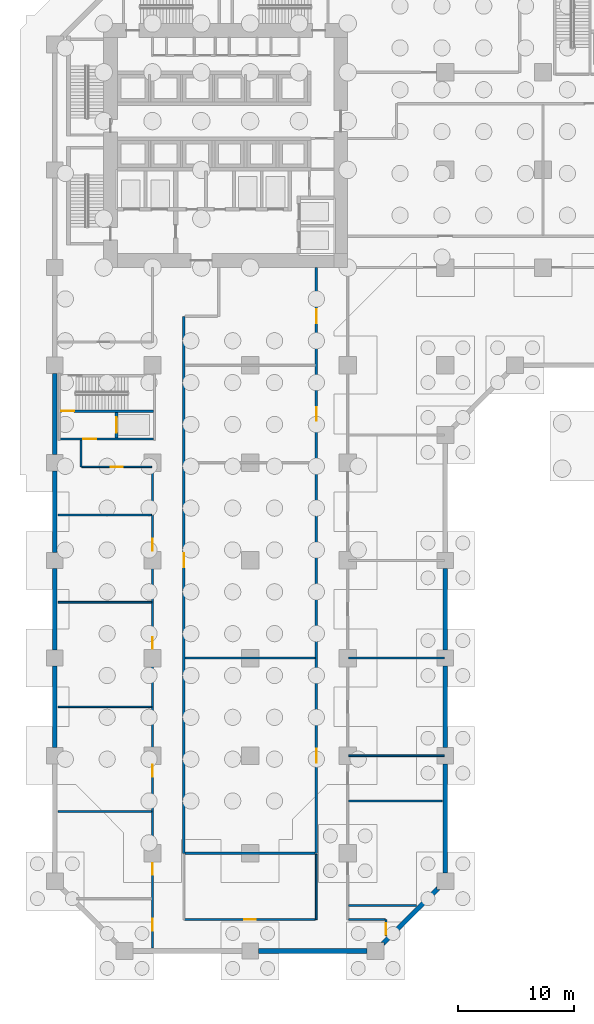
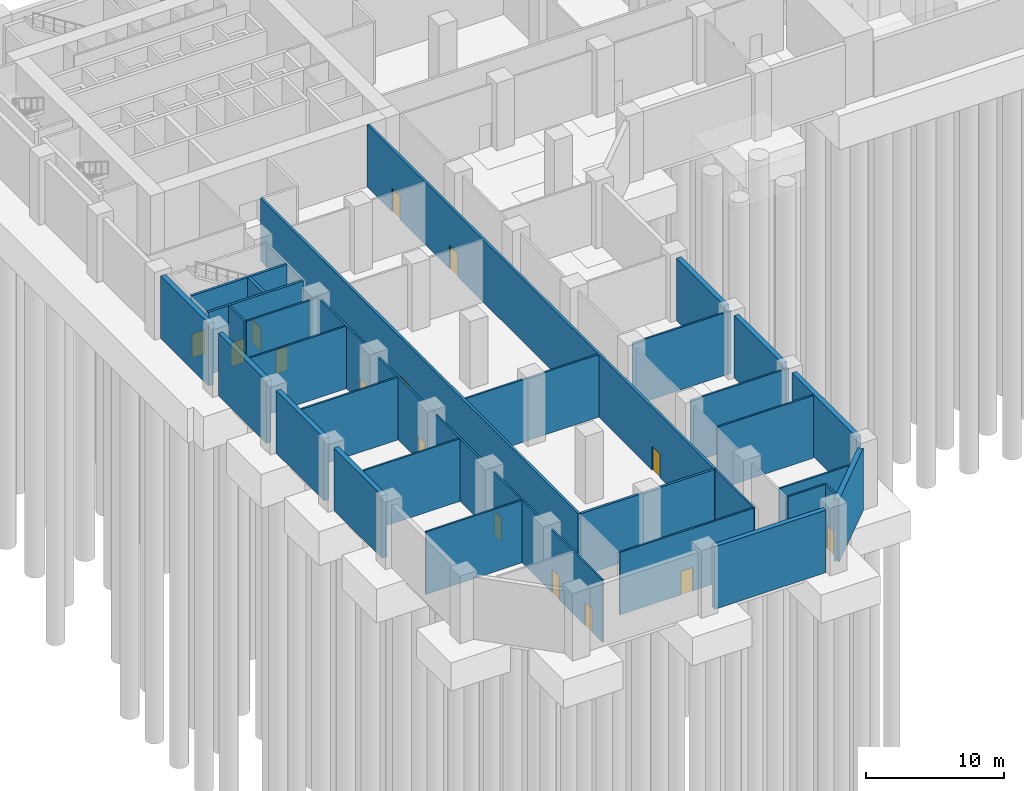
# One storey, part 4 of 13: 31 walls, 15 doors, 15 openings.
"""IFC4 building model written with IfcOpenShell, lengths in metres."""

import ifcopenshell
import ifcopenshell.guid

model = None  # the IFC model being written
_history = None  # IfcOwnerHistory: only IFC2X3 demands one
_inside = {}  # id of a spatial element -> (the spatial element, [elements in it])
_under = {}  # id of a project, library or spatial element -> (it, [spatial elements below it])
_declared = {}  # id of a project -> (the project, [libraries it declares])
_typed = {}  # id of a type object -> (the type object, [elements of that type])
_made_of = {}  # id of a material, layer set ... -> (it, [elements and type objects made of it])


def new_model(schema):
    """Start an empty IFC model of exactly this schema.

    Asked for "IFC4X3", IfcOpenShell would pick the latest addendum, in which some entities
    have other attributes; the version numbers below select the first issue.
    IFC2X3 requires an IfcOwnerHistory on every rooted entity: one is made here for all.
    """
    global model, _history
    if schema == "IFC4X3":
        model = ifcopenshell.file(schema_version=(4, 3, 0, 0))
    else:
        model = ifcopenshell.file(schema=schema)
    _inside.clear()
    _under.clear()
    _declared.clear()
    _typed.clear()
    _made_of.clear()
    _history = None
    if model.schema == "IFC2X3":
        org = make("IfcOrganization", Name="unknown")
        user = make(
            "IfcPersonAndOrganization",
            ThePerson=make("IfcPerson", FamilyName="unknown"),
            TheOrganization=org,
        )
        app = make(
            "IfcApplication",
            ApplicationDeveloper=org,
            Version="unknown",
            ApplicationFullName="unknown",
            ApplicationIdentifier="unknown",
        )
        _history = make(
            "IfcOwnerHistory",
            OwningUser=user,
            OwningApplication=app,
            ChangeAction="ADDED",
            CreationDate=0,
        )
    return model


def make(cls, **values):
    """One entity of the class cls with the attributes given. An attribute that is None is left unset."""
    return model.create_entity(
        cls, **{name: value for name, value in values.items() if value is not None}
    )


def rooted(cls, **values):
    """An entity with a GlobalId (a new one), such as an element, a storey or a relation."""
    return make(cls, GlobalId=ifcopenshell.guid.new(), OwnerHistory=_history, **values)


def si_unit(unit_type, name, prefix=None):
    """IfcSIUnit, for example si_unit("LENGTHUNIT", "METRE", prefix="MILLI")."""
    return make("IfcSIUnit", UnitType=unit_type, Prefix=prefix, Name=name)


def assignment(units):
    """IfcUnitAssignment: the units of a project."""
    return None if units is None else make("IfcUnitAssignment", Units=units)


def point(xyz):
    """IfcCartesianPoint."""
    return None if xyz is None else make("IfcCartesianPoint", Coordinates=xyz)


def direction(xyz):
    """IfcDirection."""
    return None if xyz is None else make("IfcDirection", DirectionRatios=xyz)


def frame(location, z_axis=None, x_axis=None):
    """IfcAxis2Placement3D, a coordinate frame: its origin and axes. An axis left out is left unset."""
    return make(
        "IfcAxis2Placement3D",
        Location=point(location),
        Axis=direction(z_axis),
        RefDirection=direction(x_axis),
    )


def frame_2d(location, x_axis=None):
    """IfcAxis2Placement2D, a coordinate frame in the plane: its origin and x axis."""
    return make(
        "IfcAxis2Placement2D", Location=point(location), RefDirection=direction(x_axis)
    )


def origin():
    """The frame at (0, 0, 0) with its axes left unset."""
    return frame((0.0, 0.0, 0.0))


def place(relative_to, where):
    """IfcLocalPlacement: puts the frame where relative to a parent placement (None: the world)."""
    return make(
        "IfcLocalPlacement", PlacementRelTo=relative_to, RelativePlacement=where
    )


def context(
    kind, dimensions, precision=None, world=None, true_north=None, identifier=None
):
    """IfcGeometricRepresentationContext, for example the 3D "Model" context."""
    return make(
        "IfcGeometricRepresentationContext",
        ContextIdentifier=identifier,
        ContextType=kind,
        CoordinateSpaceDimension=dimensions,
        Precision=precision,
        WorldCoordinateSystem=world,
        TrueNorth=true_north,
    )


def subcontext(parent, identifier, kind, view, scale=None):
    """IfcGeometricRepresentationSubContext, for example "Body" below "Model"."""
    return make(
        "IfcGeometricRepresentationSubContext",
        ContextIdentifier=identifier,
        ContextType=kind,
        ParentContext=parent,
        TargetScale=scale,
        TargetView=view,
    )


def project(units=None, contexts=None):
    """IfcProject with its units and contexts."""
    return rooted(
        "IfcProject",
        Name="project",
        RepresentationContexts=contexts,
        UnitsInContext=assignment(units),
    )


def spatial(cls, under=None, at=None, **own):
    """A site, building, storey or space (cls), placed at a placement, below another one or the project."""
    s = rooted(cls, ObjectPlacement=at, **own)
    if under is not None:
        _under.setdefault(under.id(), (under, []))[1].append(s)
    return s


def polyline(points):
    """IfcPolyline through the points."""
    return make("IfcPolyline", Points=[point(p) for p in points])


def profile(cls, at=None, kind="AREA", **sizes):
    """A parametric profile (cls). Its sizes go by their IFC names, for example OverallWidth=200.0."""
    return make(cls, ProfileType=kind, Position=at, **sizes)


def rectangle(**sizes):
    """IfcRectangleProfileDef."""
    return profile("IfcRectangleProfileDef", **sizes)


def outline(outer, holes=None, kind="AREA"):
    """IfcArbitraryClosedProfileDef: a profile drawn as a closed curve; with holes, ...WithVoids."""
    if holes is None:
        return make("IfcArbitraryClosedProfileDef", ProfileType=kind, OuterCurve=outer)
    return make(
        "IfcArbitraryProfileDefWithVoids",
        ProfileType=kind,
        OuterCurve=outer,
        InnerCurves=holes,
    )


def extrude(swept, where, along, depth):
    """IfcExtrudedAreaSolid: the profile swept, set in the frame where, extruded along a direction by depth."""
    return make(
        "IfcExtrudedAreaSolid",
        SweptArea=swept,
        Position=where,
        ExtrudedDirection=direction(along),
        Depth=depth,
    )


def shape(context_of_items, identifier, shape_type, items):
    """IfcShapeRepresentation: the items that make up one representation, for example the "Body"."""
    return make(
        "IfcShapeRepresentation",
        ContextOfItems=context_of_items,
        RepresentationIdentifier=identifier,
        RepresentationType=shape_type,
        Items=items,
    )


def material(Name=None, Category=None):
    """IfcMaterial."""
    return make("IfcMaterial", Name=Name, Category=Category)


def layer(
    of_material, thickness, ventilated=None, Name=None, Category=None, Priority=None
):
    """IfcMaterialLayer: one layer of a wall or slab, of a material (None: an air gap)."""
    return make(
        "IfcMaterialLayer",
        Material=of_material,
        LayerThickness=thickness,
        IsVentilated=ventilated,
        Name=Name,
        Category=Category,
        Priority=Priority,
    )


def layer_set(layers, Name=None):
    """IfcMaterialLayerSet."""
    return make("IfcMaterialLayerSet", MaterialLayers=layers, LayerSetName=Name)


def made_of(thing, what):
    """Note that an element or type object is made of a material, layer set ...; save() writes the relation."""
    if what is not None:
        _made_of.setdefault(what.id(), (what, []))[1].append(thing)
    return thing


def type_object(cls, material=None, **own):
    """A type object (cls), such as IfcWallType, which elements share."""
    return made_of(rooted(cls, **own), material)


def element(
    cls,
    number,
    at=None,
    inside=None,
    cuts=None,
    type_object=None,
    material=None,
    context=None,
    identifier="Body",
    shape_type=None,
    held_by="IfcProductDefinitionShape",
    body=None,
    shapes=None,
    **own,
):
    """One element of the class cls, such as IfcWall. Its Tag is "e" and its number.

    at: its placement. inside: the storey or other place that contains it. cuts: it is an
    opening in that element (IfcRelVoidsElement). A single representation is given by context,
    identifier, shape_type and body (its items); several are given by shapes. held_by: the class
    of the entity that holds the representations. save() writes the other relations.
    """
    e = rooted(cls, Tag="e%d" % number, ObjectPlacement=at, **own)
    if body is not None:
        shapes = [shape(context, identifier, shape_type, body)]
    if shapes is not None:
        e.Representation = make(held_by, Representations=shapes)
    if inside is not None:
        _inside.setdefault(inside.id(), (inside, []))[1].append(e)
    if cuts is not None:
        rooted(
            "IfcRelVoidsElement", RelatingBuildingElement=cuts, RelatedOpeningElement=e
        )
    if type_object is not None:
        _typed.setdefault(type_object.id(), (type_object, []))[1].append(e)
    return made_of(e, material)


def fill(opening, filler):
    """IfcRelFillsElement: the door or window that sits in an opening."""
    return rooted(
        "IfcRelFillsElement",
        RelatingOpeningElement=opening,
        RelatedBuildingElement=filler,
    )


def aggregate(whole, parts):
    """IfcRelAggregates: a whole, such as a stair, and the parts it consists of."""
    return rooted("IfcRelAggregates", RelatingObject=whole, RelatedObjects=parts)


def save(model, path):
    """Write the relations noted so far, then the file.

    IfcRelAggregates (storeys below a building ...), IfcRelContainedInSpatialStructure (elements
    in a storey), IfcRelDefinesByType, IfcRelAssociatesMaterial and IfcRelDeclares: one each for
    every whole, place, type object, material and project.
    """
    for whole, parts in _under.values():
        aggregate(whole, parts)
    for where, things in _inside.values():
        rooted(
            "IfcRelContainedInSpatialStructure",
            RelatedElements=things,
            RelatingStructure=where,
        )
    for kind, things in _typed.values():
        rooted("IfcRelDefinesByType", RelatedObjects=things, RelatingType=kind)
    for what, things in _made_of.values():
        rooted("IfcRelAssociatesMaterial", RelatedObjects=things, RelatingMaterial=what)
    for by, libraries in _declared.values():
        rooted("IfcRelDeclares", RelatingContext=by, RelatedDefinitions=libraries)
    model.write(path)


model = new_model("IFC4")

# Units and contexts
model_context = context("Model", 3, precision=1e-05, world=origin(), true_north=direction((0.0, 1.0)))
body_context = subcontext(model_context, "Body", "Model", "MODEL_VIEW")
ifc_project = project(units=[si_unit("LENGTHUNIT", "METRE"), si_unit("AREAUNIT", "SQUARE_METRE"), si_unit("VOLUMEUNIT", "CUBIC_METRE"), si_unit("PLANEANGLEUNIT", "RADIAN"), si_unit("MASSUNIT", "GRAM", prefix="KILO")], contexts=[model_context])

# Site, building, storey
site_placement = place(None, origin())
site = spatial("IfcSite", under=ifc_project, at=site_placement, CompositionType="ELEMENT")
building_placement = place(site_placement, origin())
building = spatial("IfcBuilding", under=site, at=building_placement, Name="Kawkab Arch Medical Tower", CompositionType="ELEMENT")
storey_placement = place(building_placement, frame((0.0, 0.0, -6.0)))
storey = spatial("IfcBuildingStorey", under=building, at=storey_placement, Name="B1", CompositionType="ELEMENT", Elevation=-6.0)

# Walls
ifc_material_1 = material(Name="Concrete C45/55", Category="concrete")
ifc_layer_1 = layer(ifc_material_1, 0.39990234375)
ifc_layer_set_1 = layer_set([ifc_layer_1], Name="Concrete C45/55")
wall_type_1 = type_object("IfcWallType", Name="Basement wall 400 C45/55", PredefinedType="SOLIDWALL", material=ifc_layer_set_1)
placement = place(storey_placement, origin())
element("IfcWall", 1, at=placement, inside=storey, type_object=wall_type_1, Name="Basement wall 22", PredefinedType="SOLIDWALL", context=body_context, shape_type="SweptSolid", body=[
    extrude(outline(polyline([(0.199951171875, -34.300048828125), (0.199951171875, -41.300048828125), (-0.199951171875, -41.300048828125), (-0.199951171875, -34.300048828125), (0.199951171875, -34.300048828125)])), origin(), (0.0, 0.0, 1.0), 5.550048828125),
])
element("IfcWall", 2, at=placement, inside=storey, type_object=wall_type_1, Name="Basement wall 24", PredefinedType="SOLIDWALL", context=body_context, shape_type="SweptSolid", body=[
    extrude(outline(polyline([(0.199951171875, -42.699951171875), (0.199951171875, -49.699951171875), (-0.199951171875, -49.699951171875), (-0.199951171875, -42.699951171875), (0.199951171875, -42.699951171875)])), origin(), (0.0, 0.0, 1.0), 5.550048828125),
])
element("IfcWall", 3, at=placement, inside=storey, type_object=wall_type_1, Name="Basement wall 25", PredefinedType="SOLIDWALL", context=body_context, shape_type="SweptSolid", body=[
    extrude(outline(polyline([(0.199951171875, -51.10009765625), (0.199951171875, -58.10009765625), (-0.199951171875, -58.10009765625), (-0.199951171875, -51.10009765625), (0.199951171875, -51.10009765625)])), origin(), (0.0, 0.0, 1.0), 5.550048828125),
])
element("IfcWall", 4, at=placement, inside=storey, type_object=wall_type_1, Name="Basement wall 26", PredefinedType="SOLIDWALL", context=body_context, shape_type="SweptSolid", body=[
    extrude(outline(polyline([(33.39990234375, -58.10009765625), (33.39990234375, -51.10009765625), (33.800048828125, -51.10009765625), (33.800048828125, -58.10009765625), (33.39990234375, -58.10009765625)])), origin(), (0.0, 0.0, 1.0), 5.550048828125),
])
element("IfcWall", 5, at=placement, inside=storey, type_object=wall_type_1, Name="Basement wall 27", PredefinedType="SOLIDWALL", context=body_context, shape_type="SweptSolid", body=[
    extrude(outline(polyline([(0.199951171875, -59.5), (0.199951171875, -66.5), (-0.199951171875, -66.5), (-0.199951171875, -59.5), (0.199951171875, -59.5)])), origin(), (0.0, 0.0, 1.0), 5.550048828125),
])
element("IfcWall", 6, at=placement, inside=storey, type_object=wall_type_1, Name="Basement wall 28", PredefinedType="SOLIDWALL", context=body_context, shape_type="SweptSolid", body=[
    extrude(outline(polyline([(33.39990234375, -66.5), (33.39990234375, -59.5), (33.800048828125, -59.5), (33.800048828125, -66.5), (33.39990234375, -66.5)])), origin(), (0.0, 0.0, 1.0), 5.550048828125),
])
element("IfcWall", 7, at=placement, inside=storey, type_object=wall_type_1, Name="Basement wall 30", PredefinedType="SOLIDWALL", context=body_context, shape_type="SweptSolid", body=[
    extrude(outline(polyline([(33.39990234375, -77.27490234375), (33.39990234375, -67.89990234375), (33.800048828125, -67.89990234375), (33.800048828125, -77.27490234375), (33.39990234375, -77.27490234375)])), origin(), (0.0, 0.0, 1.0), 5.550048828125),
])
element("IfcWall", 8, at=placement, inside=storey, type_object=wall_type_1, Name="Basement wall 32", PredefinedType="SOLIDWALL", context=body_context, shape_type="SweptSolid", body=[
    extrude(outline(polyline([(28.324951171875, -83.27490234375), (28.042236328125, -83.27490234375), (32.875, -78.442138671875), (32.875, -78.72509765625), (33.15771484375, -78.72509765625), (28.324951171875, -83.557861328125), (28.324951171875, -83.27490234375)])), origin(), (0.0, 0.0, 1.0), 5.550048828125),
])
element("IfcWall", 9, at=placement, inside=storey, type_object=wall_type_1, Name="Basement wall 34", PredefinedType="SOLIDWALL", context=body_context, shape_type="SweptSolid", body=[
    extrude(outline(polyline([(17.5, -83.800048828125), (26.875, -83.800048828125), (26.875, -84.199951171875), (17.5, -84.199951171875), (17.5, -83.800048828125)])), origin(), (0.0, 0.0, 1.0), 5.550048828125),
])

# Wall, opening, door
ifc_material_2 = material(Name="Concrete C60/75", Category="concrete")
ifc_layer_2 = layer(ifc_material_2, 0.25)
ifc_layer_set_2 = layer_set([ifc_layer_2], Name="Concrete C60/75")
wall_type_2 = type_object("IfcWallType", Name="Core shear wall 250 C60/75", PredefinedType="SHEAR", material=ifc_layer_set_2)
wall_10_placement = place(storey_placement, frame((5.300048828125, -39.85009765625, 0.0), z_axis=(0.0, 0.0, 1.0), x_axis=(0.0, 1.0, 0.0)))
wall_10 = element("IfcWall", 10, at=wall_10_placement, inside=storey, type_object=wall_type_2, Name="B1 core shear wall", PredefinedType="SHEAR", context=body_context, shape_type="SweptSolid", body=[
    extrude(rectangle(XDim=2.2001953125, YDim=0.25, at=frame_2d((1.10009765625, 0.0))), origin(), (0.0, 0.0, 1.0), 5.550048828125),
])
opening_1_placement = place(wall_10_placement, frame((0.449951171875, 0.0, 0.0)))
opening_1 = element("IfcOpeningElement", 11, at=opening_1_placement, cuts=wall_10, Name="Opening LD2", PredefinedType="OPENING", context=body_context, shape_type="SweptSolid", body=[
    extrude(rectangle(XDim=1.300048828125, YDim=2.10009765625, at=frame_2d((0.64990234375, 1.050048828125))), frame((0.0, 0.135009765625, 0.0), z_axis=(0.0, -1.0, 0.0), x_axis=(1.0, 0.0, 0.0)), (0.0, 0.0, 1.0), 0.27001953125),
])
ifc_material_3 = material(Name="Stainless steel lift door leaf", Category="steel")
door_type_1 = type_object("IfcDoorType", Name="Lift landing door 1300", OperationType="DOUBLE_DOOR_SLIDING", PredefinedType="DOOR", material=ifc_material_3)
door_1_placement = place(opening_1_placement, origin())
door_1 = element("IfcDoor", 12, at=door_1_placement, inside=storey, type_object=door_type_1, Name="B1 Lift landing door SV2", OperationType="DOUBLE_DOOR_SLIDING", OverallHeight=2.10009765625, OverallWidth=1.300048828125, PredefinedType="DOOR", context=body_context, shape_type="SweptSolid", body=[
    extrude(rectangle(XDim=1.300048828125, YDim=2.10009765625, at=frame_2d((0.64990234375, 1.050048828125))), frame((0.0, 0.02490234375, 0.0), z_axis=(0.0, -1.0, 0.0), x_axis=(1.0, 0.0, 0.0)), (0.0, 0.0, 1.0), 0.050048828125),
])
fill(opening_1, door_1)

ifc_material_4 = material(Name="Gypsum board partition on steel studs, mineral wool", Category="steel")
ifc_layer_3 = layer(ifc_material_4, 0.14990234375)
ifc_layer_set_3 = layer_set([ifc_layer_3], Name="Gypsum board partition on steel studs, mineral wool")
wall_type_3 = type_object("IfcWallType", Name="Partition 150", PredefinedType="PARTITIONING", material=ifc_layer_set_3)
wall_11_placement = place(storey_placement, frame((11.175048828125, -81.300048828125, 0.0), z_axis=(0.0, 0.0, 1.0), x_axis=(1.0, 0.0, 0.0)))
wall_11 = element("IfcWall", 13, at=wall_11_placement, inside=storey, type_object=wall_type_3, Name="Partition 150 w001", PredefinedType="PARTITIONING", context=body_context, shape_type="SweptSolid", body=[
    extrude(rectangle(XDim=11.25, YDim=0.14990234375, at=frame_2d((5.625, 0.0))), origin(), (0.0, 0.0, 1.0), 5.550048828125),
])
opening_2_placement = place(wall_11_placement, frame((5.125, 0.0, 0.0)))
opening_2 = element("IfcOpeningElement", 14, at=opening_2_placement, cuts=wall_11, Name="Opening B01-017", PredefinedType="OPENING", context=body_context, shape_type="SweptSolid", body=[
    extrude(rectangle(XDim=1.0, YDim=2.10009765625, at=frame_2d((0.5, 1.050048828125))), frame((0.0, 0.0849609375, 0.0), z_axis=(0.0, -1.0, 0.0), x_axis=(1.0, 0.0, 0.0)), (0.0, 0.0, 1.0), 0.169921875),
])
ifc_material_5 = material(Name="Hollow metal door leaf")
door_type_2 = type_object("IfcDoorType", Name="Single door 1000x2100 FD30S", OperationType="NOTDEFINED", PredefinedType="DOOR", material=ifc_material_5)
door_2_placement = place(opening_2_placement, origin())
door_2 = element("IfcDoor", 15, at=door_2_placement, inside=storey, type_object=door_type_2, Name="Door B01-017", OperationType="SINGLE_SWING_LEFT", OverallHeight=2.10009765625, OverallWidth=1.0, PredefinedType="DOOR", context=body_context, shape_type="SweptSolid", body=[
    extrude(rectangle(XDim=1.0, YDim=2.10009765625, at=frame_2d((0.5, 1.050048828125))), frame((0.0, 0.02490234375, 0.0), z_axis=(0.0, -1.0, 0.0), x_axis=(1.0, 0.0, 0.0)), (0.0, 0.0, 1.0), 0.050048828125),
])
fill(opening_2, door_2)

# Walls
wall_12_placement = place(storey_placement, frame((25.27490234375, -81.300048828125, 0.0), z_axis=(0.0, 0.0, 1.0), x_axis=(1.0, 0.0, 0.0)))
element("IfcWall", 16, at=wall_12_placement, inside=storey, type_object=wall_type_3, Name="Partition 150 w002", PredefinedType="PARTITIONING", context=body_context, shape_type="SweptSolid", body=[
    extrude(rectangle(XDim=3.150146484375, YDim=0.14990234375, at=frame_2d((1.5751953125, 0.0))), origin(), (0.0, 0.0, 1.0), 5.550048828125),
])
wall_13_placement = place(storey_placement, frame((25.27490234375, -80.10009765625, 0.0), z_axis=(0.0, 0.0, 1.0), x_axis=(1.0, 0.0, 0.0)))
element("IfcWall", 17, at=wall_13_placement, inside=storey, type_object=wall_type_3, Name="Partition 150 w003", PredefinedType="PARTITIONING", context=body_context, shape_type="SweptSolid", body=[
    extrude(rectangle(XDim=5.838134765625, YDim=0.14990234375, at=frame_2d((2.9189453125, 0.0))), origin(), (0.0, 0.0, 1.0), 5.550048828125),
])
for number, where, z_axis, x_axis, name in (
    (18, (0.27392578125, -72.0, 0.0), (0.0, 0.0, 1.0), (1.0, 0.0, 0.0), "Partition 150 w005"),
    (19, (25.27490234375, -71.10009765625, 0.0), (0.0, 0.0, 1.0), (1.0, 0.0, 0.0), "Partition 150 w006"),
):
    element("IfcWall", number, at=place(storey_placement, frame(where, z_axis=z_axis, x_axis=x_axis)), inside=storey, type_object=wall_type_3, Name=name, PredefinedType="PARTITIONING", context=body_context, shape_type="SweptSolid", body=[
        extrude(rectangle(XDim=8.051025390625, YDim=0.14990234375, at=frame_2d((4.025390625, 0.0))), origin(), (0.0, 0.0, 1.0), 5.550048828125),
    ])
wall_14_placement = place(storey_placement, frame((25.27490234375, -67.199951171875, 0.0), z_axis=(0.0, 0.0, 1.0), x_axis=(1.0, 0.0, 0.0)))
element("IfcWall", 20, at=wall_14_placement, inside=storey, type_object=wall_type_3, Name="Partition 150 w007", PredefinedType="PARTITIONING", context=body_context, shape_type="SweptSolid", body=[
    extrude(rectangle(XDim=8.2451171875, YDim=0.14990234375, at=frame_2d((4.12255859375, 0.0))), origin(), (0.0, 0.0, 1.0), 5.550048828125),
])
wall_15_placement = place(storey_placement, frame((0.27392578125, -63.0, 0.0), z_axis=(0.0, 0.0, 1.0), x_axis=(1.0, 0.0, 0.0)))
element("IfcWall", 21, at=wall_15_placement, inside=storey, type_object=wall_type_3, Name="Partition 150 w008", PredefinedType="PARTITIONING", context=body_context, shape_type="SweptSolid", body=[
    extrude(rectangle(XDim=8.051025390625, YDim=0.14990234375, at=frame_2d((4.025390625, 0.0))), origin(), (0.0, 0.0, 1.0), 5.550048828125),
])
wall_16_placement = place(storey_placement, frame((11.199951171875, -58.800048828125, 0.0), z_axis=(0.0, 0.0, 1.0), x_axis=(1.0, 0.0, 0.0)))
element("IfcWall", 22, at=wall_16_placement, inside=storey, type_object=wall_type_3, Name="Partition 150 w009", PredefinedType="PARTITIONING", context=body_context, shape_type="SweptSolid", body=[
    extrude(rectangle(XDim=11.199951171875, YDim=0.14990234375, at=frame_2d((5.60009765625, 0.0))), origin(), (0.0, 0.0, 1.0), 5.550048828125),
])
wall_17_placement = place(storey_placement, frame((25.27490234375, -58.800048828125, 0.0), z_axis=(0.0, 0.0, 1.0), x_axis=(1.0, 0.0, 0.0)))
element("IfcWall", 23, at=wall_17_placement, inside=storey, type_object=wall_type_3, Name="Partition 150 w010", PredefinedType="PARTITIONING", context=body_context, shape_type="SweptSolid", body=[
    extrude(rectangle(XDim=8.2451171875, YDim=0.14990234375, at=frame_2d((4.12255859375, 0.0))), origin(), (0.0, 0.0, 1.0), 5.550048828125),
])
for number, where, z_axis, x_axis, name in (
    (24, (0.27392578125, -54.0, 0.0), (0.0, 0.0, 1.0), (1.0, 0.0, 0.0), "Partition 150 w011"),
    (25, (0.27392578125, -46.5, 0.0), (0.0, 0.0, 1.0), (1.0, 0.0, 0.0), "Partition 150 w013"),
):
    element("IfcWall", number, at=place(storey_placement, frame(where, z_axis=z_axis, x_axis=x_axis)), inside=storey, type_object=wall_type_3, Name=name, PredefinedType="PARTITIONING", context=body_context, shape_type="SweptSolid", body=[
        extrude(rectangle(XDim=8.051025390625, YDim=0.14990234375, at=frame_2d((4.025390625, 0.0))), origin(), (0.0, 0.0, 1.0), 5.550048828125),
    ])

# Wall, opening, door
wall_18_placement = place(storey_placement, frame((2.325927734375, -42.35009765625, 0.0), z_axis=(0.0, 0.0, 1.0), x_axis=(1.0, 0.0, 0.0)))
wall_18 = element("IfcWall", 26, at=wall_18_placement, inside=storey, type_object=wall_type_3, Name="Partition 150 w014", PredefinedType="PARTITIONING", context=body_context, shape_type="SweptSolid", body=[
    extrude(rectangle(XDim=5.9990234375, YDim=0.14990234375, at=frame_2d((2.99951171875, 0.0))), origin(), (0.0, 0.0, 1.0), 5.550048828125),
])
opening_3_placement = place(wall_18_placement, frame((2.4990234375, 0.0, 0.0)))
opening_3 = element("IfcOpeningElement", 27, at=opening_3_placement, cuts=wall_18, Name="Opening B01-011", PredefinedType="OPENING", context=body_context, shape_type="SweptSolid", body=[
    extrude(rectangle(XDim=1.0, YDim=2.10009765625, at=frame_2d((0.5, 1.050048828125))), frame((0.0, 0.0849609375, 0.0), z_axis=(0.0, -1.0, 0.0), x_axis=(1.0, 0.0, 0.0)), (0.0, 0.0, 1.0), 0.169921875),
])
door_3_placement = place(opening_3_placement, origin())
door_3 = element("IfcDoor", 28, at=door_3_placement, inside=storey, type_object=door_type_2, Name="Door B01-011", OperationType="SINGLE_SWING_RIGHT", OverallHeight=2.10009765625, OverallWidth=1.0, PredefinedType="DOOR", context=body_context, shape_type="SweptSolid", body=[
    extrude(rectangle(XDim=1.0, YDim=2.10009765625, at=frame_2d((0.5, 1.050048828125))), frame((0.0, 0.02490234375, 0.0), z_axis=(0.0, -1.0, 0.0), x_axis=(1.0, 0.0, 0.0)), (0.0, 0.0, 1.0), 0.050048828125),
])
fill(opening_3, door_3)

# Wall
wall_19_placement = place(storey_placement, frame((2.25, -42.347900390625, 0.0), z_axis=(0.0, 0.0, 1.0), x_axis=(0.0, 1.0, 0.0)))
element("IfcWall", 29, at=wall_19_placement, inside=storey, type_object=wall_type_3, Name="Partition 150 w022", PredefinedType="PARTITIONING", context=body_context, shape_type="SweptSolid", body=[
    extrude(rectangle(XDim=2.2978515625, YDim=0.14990234375, at=frame_2d((1.14892578125, 0.0))), origin(), (0.0, 0.0, 1.0), 5.550048828125),
])

# Wall, openings, doors
wall_20_placement = place(storey_placement, frame((8.39990234375, -83.72607421875, 0.0), z_axis=(0.0, 0.0, 1.0), x_axis=(0.0, 1.0, 0.0)))
wall_20 = element("IfcWall", 30, at=wall_20_placement, inside=storey, type_object=wall_type_3, Name="Partition 150 w023", PredefinedType="PARTITIONING", context=body_context, shape_type="SweptSolid", body=[
    extrude(rectangle(XDim=41.3759765625, YDim=0.14990234375, at=frame_2d((20.68798828125, 0.0))), origin(), (0.0, 0.0, 1.0), 5.550048828125),
])
opening_4_placement = place(wall_20_placement, frame((34.176025390625, 0.0, 0.0)))
opening_4 = element("IfcOpeningElement", 31, at=opening_4_placement, cuts=wall_20, Name="Opening B01-012", PredefinedType="OPENING", context=body_context, shape_type="SweptSolid", body=[
    extrude(rectangle(XDim=1.0, YDim=2.10009765625, at=frame_2d((0.5, 1.050048828125))), frame((0.0, 0.0849609375, 0.0), z_axis=(0.0, -1.0, 0.0), x_axis=(1.0, 0.0, 0.0)), (0.0, 0.0, 1.0), 0.169921875),
])
opening_5_placement = place(wall_20_placement, frame((25.72607421875, 0.0, 0.0)))
opening_5 = element("IfcOpeningElement", 32, at=opening_5_placement, cuts=wall_20, Name="Opening B01-013", PredefinedType="OPENING", context=body_context, shape_type="SweptSolid", body=[
    extrude(rectangle(XDim=1.0, YDim=2.10009765625, at=frame_2d((0.5, 1.050048828125))), frame((0.0, 0.0849609375, 0.0), z_axis=(0.0, -1.0, 0.0), x_axis=(1.0, 0.0, 0.0)), (0.0, 0.0, 1.0), 0.169921875),
])
opening_6_placement = place(wall_20_placement, frame((14.72607421875, 0.0, 0.0)))
opening_6 = element("IfcOpeningElement", 33, at=opening_6_placement, cuts=wall_20, Name="Opening B01-014", PredefinedType="OPENING", context=body_context, shape_type="SweptSolid", body=[
    extrude(rectangle(XDim=1.0, YDim=2.10009765625, at=frame_2d((0.5, 1.050048828125))), frame((0.0, 0.0849609375, 0.0), z_axis=(0.0, -1.0, 0.0), x_axis=(1.0, 0.0, 0.0)), (0.0, 0.0, 1.0), 0.169921875),
])
opening_7_placement = place(wall_20_placement, frame((6.27587890625, 0.0, 0.0)))
opening_7 = element("IfcOpeningElement", 34, at=opening_7_placement, cuts=wall_20, Name="Opening B01-015", PredefinedType="OPENING", context=body_context, shape_type="SweptSolid", body=[
    extrude(rectangle(XDim=1.0, YDim=2.10009765625, at=frame_2d((0.5, 1.050048828125))), frame((0.0, 0.0849609375, 0.0), z_axis=(0.0, -1.0, 0.0), x_axis=(1.0, 0.0, 0.0)), (0.0, 0.0, 1.0), 0.169921875),
])
opening_8_placement = place(wall_20_placement, frame((1.47607421875, 0.0, 0.0)))
opening_8 = element("IfcOpeningElement", 35, at=opening_8_placement, cuts=wall_20, Name="Opening B01-016", PredefinedType="OPENING", context=body_context, shape_type="SweptSolid", body=[
    extrude(rectangle(XDim=1.0, YDim=2.10009765625, at=frame_2d((0.5, 1.050048828125))), frame((0.0, 0.0849609375, 0.0), z_axis=(0.0, -1.0, 0.0), x_axis=(1.0, 0.0, 0.0)), (0.0, 0.0, 1.0), 0.169921875),
])
door_4_placement = place(opening_4_placement, origin())
door_4 = element("IfcDoor", 36, at=door_4_placement, inside=storey, type_object=door_type_2, Name="Door B01-012", OperationType="SINGLE_SWING_RIGHT", OverallHeight=2.10009765625, OverallWidth=1.0, PredefinedType="DOOR", context=body_context, shape_type="SweptSolid", body=[
    extrude(rectangle(XDim=1.0, YDim=2.10009765625, at=frame_2d((0.5, 1.050048828125))), frame((0.0, 0.02490234375, 0.0), z_axis=(0.0, -1.0, 0.0), x_axis=(1.0, 0.0, 0.0)), (0.0, 0.0, 1.0), 0.050048828125),
])
fill(opening_4, door_4)
door_5_placement = place(opening_5_placement, origin())
door_5 = element("IfcDoor", 37, at=door_5_placement, inside=storey, type_object=door_type_2, Name="Door B01-013", OperationType="SINGLE_SWING_RIGHT", OverallHeight=2.10009765625, OverallWidth=1.0, PredefinedType="DOOR", context=body_context, shape_type="SweptSolid", body=[
    extrude(rectangle(XDim=1.0, YDim=2.10009765625, at=frame_2d((0.5, 1.050048828125))), frame((0.0, 0.02490234375, 0.0), z_axis=(0.0, -1.0, 0.0), x_axis=(1.0, 0.0, 0.0)), (0.0, 0.0, 1.0), 0.050048828125),
])
fill(opening_5, door_5)
door_6_placement = place(opening_6_placement, origin())
door_6 = element("IfcDoor", 38, at=door_6_placement, inside=storey, type_object=door_type_2, Name="Door B01-014", OperationType="SINGLE_SWING_LEFT", OverallHeight=2.10009765625, OverallWidth=1.0, PredefinedType="DOOR", context=body_context, shape_type="SweptSolid", body=[
    extrude(rectangle(XDim=1.0, YDim=2.10009765625, at=frame_2d((0.5, 1.050048828125))), frame((0.0, 0.02490234375, 0.0), z_axis=(0.0, -1.0, 0.0), x_axis=(1.0, 0.0, 0.0)), (0.0, 0.0, 1.0), 0.050048828125),
])
fill(opening_6, door_6)
door_7_placement = place(opening_7_placement, origin())
door_7 = element("IfcDoor", 39, at=door_7_placement, inside=storey, type_object=door_type_2, Name="Door B01-015", OperationType="SINGLE_SWING_LEFT", OverallHeight=2.10009765625, OverallWidth=1.0, PredefinedType="DOOR", context=body_context, shape_type="SweptSolid", body=[
    extrude(rectangle(XDim=1.0, YDim=2.10009765625, at=frame_2d((0.5, 1.050048828125))), frame((0.0, 0.02490234375, 0.0), z_axis=(0.0, -1.0, 0.0), x_axis=(1.0, 0.0, 0.0)), (0.0, 0.0, 1.0), 0.050048828125),
])
fill(opening_7, door_7)
door_8_placement = place(opening_8_placement, origin())
door_8 = element("IfcDoor", 40, at=door_8_placement, inside=storey, type_object=door_type_2, Name="Door B01-016", OperationType="SINGLE_SWING_LEFT", OverallHeight=2.10009765625, OverallWidth=1.0, PredefinedType="DOOR", context=body_context, shape_type="SweptSolid", body=[
    extrude(rectangle(XDim=1.0, YDim=2.10009765625, at=frame_2d((0.5, 1.050048828125))), frame((0.0, 0.02490234375, 0.0), z_axis=(0.0, -1.0, 0.0), x_axis=(1.0, 0.0, 0.0)), (0.0, 0.0, 1.0), 0.050048828125),
])
fill(opening_8, door_8)

# Wall
wall_21_placement = place(storey_placement, frame((22.5, -81.300048828125, 0.0), z_axis=(0.0, 0.0, 1.0), x_axis=(0.0, 1.0, 0.0)))
element("IfcWall", 41, at=wall_21_placement, inside=storey, type_object=wall_type_3, Name="Partition 150 w026", PredefinedType="PARTITIONING", context=body_context, shape_type="SweptSolid", body=[
    extrude(rectangle(XDim=5.60009765625, YDim=0.14990234375, at=frame_2d((2.800048828125, 0.0))), origin(), (0.0, 0.0, 1.0), 5.550048828125),
])

# Wall, opening, door
wall_22_placement = place(storey_placement, frame((28.5, -82.712890625, 0.0), z_axis=(0.0, 0.0, 1.0), x_axis=(0.0, 1.0, 0.0)))
wall_22 = element("IfcWall", 42, at=wall_22_placement, inside=storey, type_object=wall_type_3, Name="Partition 150 w028", PredefinedType="PARTITIONING", context=body_context, shape_type="SweptSolid", body=[
    extrude(rectangle(XDim=1.412841796875, YDim=0.14990234375, at=frame_2d((0.70654296875, 0.0))), origin(), (0.0, 0.0, 1.0), 5.550048828125),
])
opening_9_placement = place(wall_22_placement, frame((0.113037109375, 0.0, 0.0)))
opening_9 = element("IfcOpeningElement", 43, at=opening_9_placement, cuts=wall_22, Name="Opening B01-024", PredefinedType="OPENING", context=body_context, shape_type="SweptSolid", body=[
    extrude(rectangle(XDim=1.0, YDim=2.10009765625, at=frame_2d((0.5, 1.050048828125))), frame((0.0, 0.0849609375, 0.0), z_axis=(0.0, -1.0, 0.0), x_axis=(1.0, 0.0, 0.0)), (0.0, 0.0, 1.0), 0.169921875),
])
door_9_placement = place(opening_9_placement, origin())
door_9 = element("IfcDoor", 44, at=door_9_placement, inside=storey, type_object=door_type_2, Name="Door B01-024", OperationType="SINGLE_SWING_LEFT", OverallHeight=2.10009765625, OverallWidth=1.0, PredefinedType="DOOR", context=body_context, shape_type="SweptSolid", body=[
    extrude(rectangle(XDim=1.0, YDim=2.10009765625, at=frame_2d((0.5, 1.050048828125))), frame((0.0, 0.02490234375, 0.0), z_axis=(0.0, -1.0, 0.0), x_axis=(1.0, 0.0, 0.0)), (0.0, 0.0, 1.0), 0.050048828125),
])
fill(opening_9, door_9)

# Wall
ifc_material_6 = material(Name="Fire-rated gypsum board partition on steel studs", Category="steel")
ifc_layer_4 = layer(ifc_material_6, 0.199951171875)
ifc_layer_set_4 = layer_set([ifc_layer_4], Name="Fire-rated gypsum board partition on steel studs")
wall_type_4 = type_object("IfcWallType", Name="Protected partition 200", PredefinedType="PARTITIONING", material=ifc_layer_set_4)
wall_23_placement = place(storey_placement, frame((11.199951171875, -75.60009765625, 0.0), z_axis=(0.0, 0.0, 1.0), x_axis=(1.0, 0.0, 0.0)))
element("IfcWall", 45, at=wall_23_placement, inside=storey, type_object=wall_type_4, Name="Protected partition 200 w036", PredefinedType="PARTITIONING", context=body_context, shape_type="SweptSolid", body=[
    extrude(rectangle(XDim=11.199951171875, YDim=0.199951171875, at=frame_2d((5.60009765625, 0.0))), origin(), (0.0, 0.0, 1.0), 5.550048828125),
])

# Wall, opening, door
wall_24_placement = place(storey_placement, frame((11.10009765625, -75.60009765625, 0.0), z_axis=(0.0, 0.0, 1.0), x_axis=(0.0, 1.0, 0.0)))
wall_24 = element("IfcWall", 46, at=wall_24_placement, inside=storey, type_object=wall_type_4, Name="Protected partition 200 w050", PredefinedType="PARTITIONING", context=body_context, shape_type="SweptSolid", body=[
    extrude(rectangle(XDim=46.2001953125, YDim=0.199951171875, at=frame_2d((23.10009765625, 0.0))), origin(), (0.0, 0.0, 1.0), 5.550048828125),
])
opening_10_placement = place(wall_24_placement, frame((24.60009765625, 0.0, 0.0)))
opening_10 = element("IfcOpeningElement", 47, at=opening_10_placement, cuts=wall_24, Name="Opening B01-038", PredefinedType="OPENING", context=body_context, shape_type="SweptSolid", body=[
    extrude(rectangle(XDim=1.199951171875, YDim=2.10009765625, at=frame_2d((0.60009765625, 1.050048828125))), frame((0.0, 0.10986328125, 0.0), z_axis=(0.0, -1.0, 0.0), x_axis=(1.0, 0.0, 0.0)), (0.0, 0.0, 1.0), 0.219970703125),
])
ifc_material_7 = material(Name="Hollow metal door leaf")
door_type_3 = type_object("IfcDoorType", Name="Single door 1200x2100 FD60", OperationType="NOTDEFINED", PredefinedType="DOOR", material=ifc_material_7)
door_10_placement = place(opening_10_placement, origin())
door_10 = element("IfcDoor", 48, at=door_10_placement, inside=storey, type_object=door_type_3, Name="Door B01-038", OperationType="SINGLE_SWING_LEFT", OverallHeight=2.10009765625, OverallWidth=1.199951171875, PredefinedType="DOOR", context=body_context, shape_type="SweptSolid", body=[
    extrude(rectangle(XDim=1.199951171875, YDim=2.10009765625, at=frame_2d((0.60009765625, 1.050048828125))), frame((0.0, 0.02490234375, 0.0), z_axis=(0.0, -1.0, 0.0), x_axis=(1.0, 0.0, 0.0)), (0.0, 0.0, 1.0), 0.050048828125),
])
fill(opening_10, door_10)

# Wall, openings, doors
wall_25_placement = place(storey_placement, frame((22.5, -75.60009765625, 0.0), z_axis=(0.0, 0.0, 1.0), x_axis=(0.0, 1.0, 0.0)))
wall_25 = element("IfcWall", 49, at=wall_25_placement, inside=storey, type_object=wall_type_4, Name="Protected partition 200 w052", PredefinedType="PARTITIONING", context=body_context, shape_type="SweptSolid", body=[
    extrude(rectangle(XDim=50.400146484375, YDim=0.199951171875, at=frame_2d((25.2001953125, 0.0))), origin(), (0.0, 0.0, 1.0), 5.550048828125),
])
opening_11_placement = place(wall_25_placement, frame((45.60009765625, 0.0, 0.0)))
opening_11 = element("IfcOpeningElement", 50, at=opening_11_placement, cuts=wall_25, Name="Opening B01-036", PredefinedType="OPENING", context=body_context, shape_type="SweptSolid", body=[
    extrude(rectangle(XDim=1.199951171875, YDim=2.10009765625, at=frame_2d((0.60009765625, 1.050048828125))), frame((0.0, 0.10986328125, 0.0), z_axis=(0.0, -1.0, 0.0), x_axis=(1.0, 0.0, 0.0)), (0.0, 0.0, 1.0), 0.219970703125),
])
opening_12_placement = place(wall_25_placement, frame((37.199951171875, 0.0, 0.0)))
opening_12 = element("IfcOpeningElement", 51, at=opening_12_placement, cuts=wall_25, Name="Opening B01-037", PredefinedType="OPENING", context=body_context, shape_type="SweptSolid", body=[
    extrude(rectangle(XDim=1.199951171875, YDim=2.10009765625, at=frame_2d((0.60009765625, 1.050048828125))), frame((0.0, 0.10986328125, 0.0), z_axis=(0.0, -1.0, 0.0), x_axis=(1.0, 0.0, 0.0)), (0.0, 0.0, 1.0), 0.219970703125),
])
opening_13_placement = place(wall_25_placement, frame((7.800048828125, 0.0, 0.0)))
opening_13 = element("IfcOpeningElement", 52, at=opening_13_placement, cuts=wall_25, Name="Opening B01-039", PredefinedType="OPENING", context=body_context, shape_type="SweptSolid", body=[
    extrude(rectangle(XDim=1.199951171875, YDim=2.10009765625, at=frame_2d((0.60009765625, 1.050048828125))), frame((0.0, 0.10986328125, 0.0), z_axis=(0.0, -1.0, 0.0), x_axis=(1.0, 0.0, 0.0)), (0.0, 0.0, 1.0), 0.219970703125),
])
door_11_placement = place(opening_11_placement, origin())
door_11 = element("IfcDoor", 53, at=door_11_placement, inside=storey, type_object=door_type_3, Name="Door B01-036", OperationType="SINGLE_SWING_RIGHT", OverallHeight=2.10009765625, OverallWidth=1.199951171875, PredefinedType="DOOR", context=body_context, shape_type="SweptSolid", body=[
    extrude(rectangle(XDim=1.199951171875, YDim=2.10009765625, at=frame_2d((0.60009765625, 1.050048828125))), frame((0.0, 0.02490234375, 0.0), z_axis=(0.0, -1.0, 0.0), x_axis=(1.0, 0.0, 0.0)), (0.0, 0.0, 1.0), 0.050048828125),
])
fill(opening_11, door_11)
door_12_placement = place(opening_12_placement, origin())
door_12 = element("IfcDoor", 54, at=door_12_placement, inside=storey, type_object=door_type_3, Name="Door B01-037", OperationType="SINGLE_SWING_RIGHT", OverallHeight=2.10009765625, OverallWidth=1.199951171875, PredefinedType="DOOR", context=body_context, shape_type="SweptSolid", body=[
    extrude(rectangle(XDim=1.199951171875, YDim=2.10009765625, at=frame_2d((0.60009765625, 1.050048828125))), frame((0.0, 0.02490234375, 0.0), z_axis=(0.0, -1.0, 0.0), x_axis=(1.0, 0.0, 0.0)), (0.0, 0.0, 1.0), 0.050048828125),
])
fill(opening_12, door_12)
door_13_placement = place(opening_13_placement, origin())
door_13 = element("IfcDoor", 55, at=door_13_placement, inside=storey, type_object=door_type_3, Name="Door B01-039", OperationType="SINGLE_SWING_LEFT", OverallHeight=2.10009765625, OverallWidth=1.199951171875, PredefinedType="DOOR", context=body_context, shape_type="SweptSolid", body=[
    extrude(rectangle(XDim=1.199951171875, YDim=2.10009765625, at=frame_2d((0.60009765625, 1.050048828125))), frame((0.0, 0.02490234375, 0.0), z_axis=(0.0, -1.0, 0.0), x_axis=(1.0, 0.0, 0.0)), (0.0, 0.0, 1.0), 0.050048828125),
])
fill(opening_13, door_13)

# Wall, opening, door
ifc_material_8 = material(Name="Concrete C50/60", Category="concrete")
ifc_layer_5 = layer(ifc_material_8, 0.199951171875)
ifc_layer_set_5 = layer_set([ifc_layer_5], Name="Concrete C50/60")
wall_type_5 = type_object("IfcWallType", Name="Stair enclosure wall 200 C50/60", PredefinedType="SHEAR", material=ifc_layer_set_5)
wall_26_placement = place(storey_placement, frame((0.449951171875, -37.550048828125, 0.0), z_axis=(0.0, 0.0, 1.0), x_axis=(1.0, 0.0, 0.0)))
wall_26 = element("IfcWall", 56, at=wall_26_placement, inside=storey, type_object=wall_type_5, Name="B1 stair enclosure wall", PredefinedType="SHEAR", context=body_context, shape_type="SweptSolid", body=[
    extrude(rectangle(XDim=8.050048828125, YDim=0.199951171875, at=frame_2d((4.02490234375, 0.0))), origin(), (0.0, 0.0, 1.0), 5.550048828125),
])
opening_14_placement = place(wall_26_placement, frame((0.10009765625, 0.0, 0.0)))
opening_14 = element("IfcOpeningElement", 57, at=opening_14_placement, cuts=wall_26, Name="Opening SD", PredefinedType="OPENING", context=body_context, shape_type="SweptSolid", body=[
    extrude(rectangle(XDim=1.10009765625, YDim=2.10009765625, at=frame_2d((0.550048828125, 1.050048828125))), frame((0.0, 0.10986328125, 0.0), z_axis=(0.0, -1.0, 0.0), x_axis=(1.0, 0.0, 0.0)), (0.0, 0.0, 1.0), 0.219970703125),
])
ifc_material_9 = material(Name="Hollow metal fire door leaf")
door_type_4 = type_object("IfcDoorType", Name="Exit stair door 1100", OperationType="SINGLE_SWING_LEFT", PredefinedType="DOOR", material=ifc_material_9)
door_14_placement = place(opening_14_placement, frame((1.10009765625, 0.0, 0.0), z_axis=(0.0, 0.0, 1.0), x_axis=(-1.0, 0.0, 0.0)))
door_14 = element("IfcDoor", 58, at=door_14_placement, inside=storey, type_object=door_type_4, Name="B1 Exit stair ST6 lobby door", OperationType="SINGLE_SWING_LEFT", OverallHeight=2.10009765625, OverallWidth=1.10009765625, PredefinedType="DOOR", context=body_context, shape_type="SweptSolid", body=[
    extrude(rectangle(XDim=1.10009765625, YDim=2.10009765625, at=frame_2d((0.550048828125, 1.050048828125))), frame((0.0, 0.02490234375, 0.0), z_axis=(0.0, -1.0, 0.0), x_axis=(1.0, 0.0, 0.0)), (0.0, 0.0, 1.0), 0.050048828125),
])
fill(opening_14, door_14)

wall_27_placement = place(storey_placement, frame((0.449951171875, -39.949951171875, 0.0), z_axis=(0.0, 0.0, 1.0), x_axis=(1.0, 0.0, 0.0)))
wall_27 = element("IfcWall", 59, at=wall_27_placement, inside=storey, type_object=wall_type_5, Name="B1 stair enclosure wall", PredefinedType="SHEAR", context=body_context, shape_type="SweptSolid", body=[
    extrude(rectangle(XDim=8.050048828125, YDim=0.199951171875, at=frame_2d((4.02490234375, 0.0))), origin(), (0.0, 0.0, 1.0), 5.550048828125),
])
opening_15_placement = place(wall_27_placement, frame((2.0, 0.0, 0.0)))
opening_15 = element("IfcOpeningElement", 60, at=opening_15_placement, cuts=wall_27, Name="Opening FD", PredefinedType="OPENING", context=body_context, shape_type="SweptSolid", body=[
    extrude(rectangle(XDim=1.10009765625, YDim=2.10009765625, at=frame_2d((0.550048828125, 1.050048828125))), frame((0.0, 0.10986328125, 0.0), z_axis=(0.0, -1.0, 0.0), x_axis=(1.0, 0.0, 0.0)), (0.0, 0.0, 1.0), 0.219970703125),
])
ifc_material_10 = material(Name="Hollow metal fire door leaf")
door_type_5 = type_object("IfcDoorType", Name="Firefighting lobby door 1100", OperationType="SINGLE_SWING_LEFT", PredefinedType="DOOR", material=ifc_material_10)
door_15_placement = place(opening_15_placement, origin())
door_15 = element("IfcDoor", 61, at=door_15_placement, inside=storey, type_object=door_type_5, Name="B1 Service lift lobby door SV2", OperationType="SINGLE_SWING_LEFT", OverallHeight=2.10009765625, OverallWidth=1.10009765625, PredefinedType="DOOR", context=body_context, shape_type="SweptSolid", body=[
    extrude(rectangle(XDim=1.10009765625, YDim=2.10009765625, at=frame_2d((0.550048828125, 1.050048828125))), frame((0.0, 0.02490234375, 0.0), z_axis=(0.0, -1.0, 0.0), x_axis=(1.0, 0.0, 0.0)), (0.0, 0.0, 1.0), 0.050048828125),
])
fill(opening_15, door_15)

save(model, "model.ifc")
